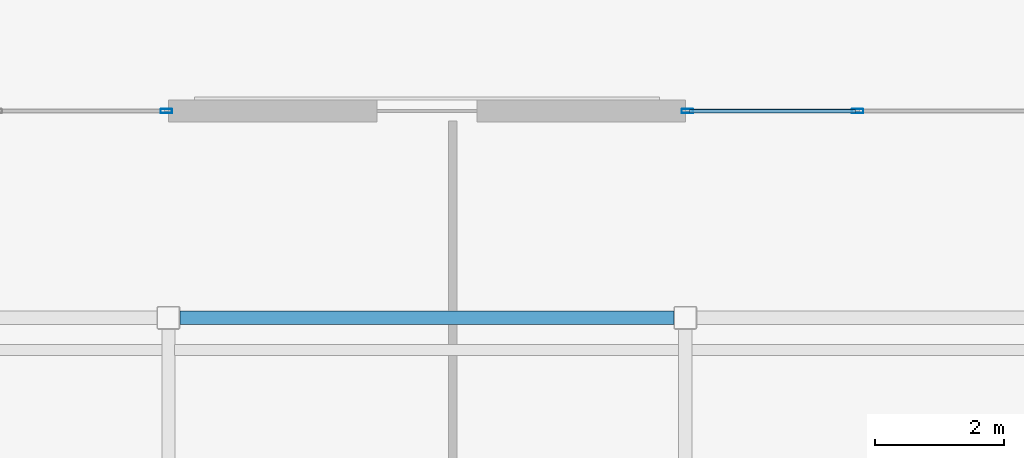
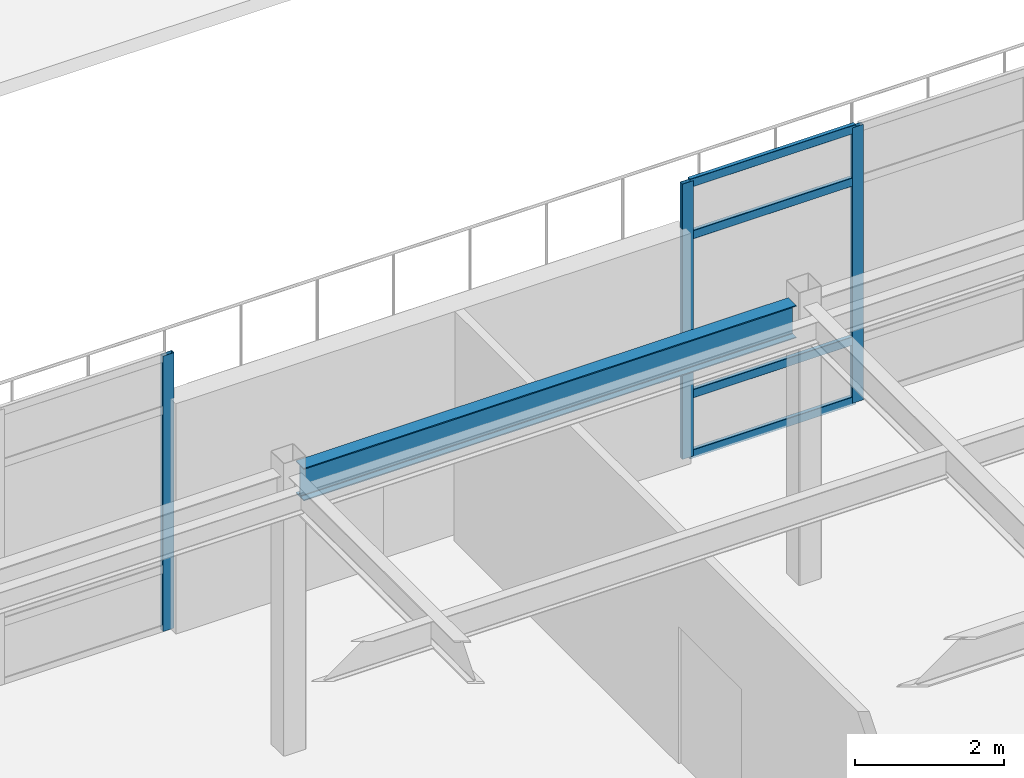
# One storey, part 42 of 117: 7 members, 1 beam, 2 elements without a shape of their own.
"""IFC4 building model written with IfcOpenShell, lengths in metres."""

from ifc_helpers import new_model, si_unit, direction, frame, origin, origin_2d, place, context, subcontext, project, spatial, hollow_rectangle, i_section, extrude, material, material_profile, profile_set, type_object, element, aggregate, save


model = new_model("IFC4")

# Units and contexts
model_context = context("Model", 3, precision=1e-05, world=origin(), true_north=direction((0.0, 1.0)))
body_context = subcontext(model_context, "Body", "Model", "MODEL_VIEW")
ifc_project = project(units=[si_unit("LENGTHUNIT", "METRE"), si_unit("AREAUNIT", "SQUARE_METRE"), si_unit("VOLUMEUNIT", "CUBIC_METRE"), si_unit("PLANEANGLEUNIT", "RADIAN"), si_unit("MASSUNIT", "GRAM", prefix="KILO")], contexts=[model_context])

# Site, building, storey
site_placement = place(None, origin())
site = spatial("IfcSite", under=ifc_project, at=site_placement, CompositionType="ELEMENT")
building_placement = place(site_placement, origin())
building = spatial("IfcBuilding", under=site, at=building_placement, Name="Solmirada Galleria", CompositionType="ELEMENT")
storey_placement = place(building_placement, frame((0.0, 0.0, 5.60009765625)))
storey = spatial("IfcBuildingStorey", under=building, at=storey_placement, Name="L01", CompositionType="ELEMENT", Elevation=5.60009765625)

# Beam
ifc_material_1 = material(Name="Steel S355 / ASTM A992 Grade 50", Category="steel")
ifc_material_profile_1 = material_profile(ifc_material_1, i_section(OverallWidth=0.2099609375, OverallDepth=0.537109375, WebThickness=0.010986328125, FlangeThickness=0.017333984375, FilletRadius=0.014892578125, at=origin_2d()), Name="W21X68")
ifc_profile_set_1 = profile_set([ifc_material_profile_1], Name="Steel S355 / ASTM A992 Grade 50")
beam_type = type_object("IfcBeamType", Name="BM-GIRD-W21B", PredefinedType="BEAM", material=ifc_profile_set_1)
beam_placement = place(storey_placement, frame((120.177978515625, 40.0, 4.29150390625), z_axis=(1.0, 0.0, 0.0), x_axis=(0.0, 1.0, 0.0)))
element("IfcBeam", 1, at=beam_placement, inside=storey, type_object=beam_type, Name="Primary beam L02 X(120..128, 40)", PredefinedType="BEAM", context=body_context, shape_type="SweptSolid", body=[
    extrude(i_section(OverallWidth=0.2099609375, OverallDepth=0.537109375, WebThickness=0.010986328125, FlangeThickness=0.017333984375, FilletRadius=0.014892578125, at=origin_2d()), origin(), (0.0, 0.0, 1.0), 7.64404296875),
])

# Curtain wall, member
ifc_material_2 = material(Name="Impact-resistant low-E double glazing", Category="glass")
curtain_wall_type = type_object("IfcCurtainWallType", Name="CW-FZ5-L01-B3-L080", PredefinedType="NOTDEFINED", material=ifc_material_2)
curtain_wall_1_placement = place(storey_placement, origin())
curtain_wall_1 = element("IfcCurtainWall", 2, at=curtain_wall_1_placement, inside=storey, type_object=curtain_wall_type, Name="Terrace and arcade storefront CW-L01-075", PredefinedType="NOTDEFINED")
ifc_material_3 = material(Name="Anodised aluminium framing", Category="aluminium")
ifc_material_profile_2 = material_profile(ifc_material_3, hollow_rectangle(XDim=0.06494140625, YDim=0.179931640625, WallThickness=0.00390625, InnerFilletRadius=0.00390625, OuterFilletRadius=0.008056640625, at=origin_2d()), Name="ALU-MULL-180X65")
ifc_profile_set_2 = profile_set([ifc_material_profile_2], Name="Anodised aluminium framing")
member_type_1 = type_object("IfcMemberType", Name="CW-MULL-180", PredefinedType="MULLION", material=ifc_profile_set_2)
member_1_placement = place(storey_placement, frame((119.967529296875, 43.199951171875, 0.0), z_axis=(0.0, 0.0, 1.0), x_axis=(0.0, 1.0, 0.0)))
member_1 = element("IfcMember", 3, at=member_1_placement, type_object=member_type_1, Name="CW17 mullion 4", PredefinedType="MULLION", context=body_context, shape_type="SweptSolid", body=[
    extrude(hollow_rectangle(XDim=0.06494140625, YDim=0.179931640625, WallThickness=0.00390625, InnerFilletRadius=0.00390625, OuterFilletRadius=0.008056640625, at=origin_2d()), origin(), (0.0, 0.0, 1.0), 4.52001953125),
])
aggregate(curtain_wall_1, [member_1])

# Curtain wall, members
curtain_wall_2_placement = place(storey_placement, origin())
curtain_wall_2 = element("IfcCurtainWall", 4, at=curtain_wall_2_placement, inside=storey, type_object=curtain_wall_type, Name="Terrace and arcade storefront CW-L01-076", PredefinedType="NOTDEFINED")
member_2_placement = place(storey_placement, frame((128.032470703125, 43.199951171875, 0.0), z_axis=(0.0, 0.0, 1.0), x_axis=(0.0, 1.0, 0.0)))
member_2 = element("IfcMember", 5, at=member_2_placement, type_object=member_type_1, Name="CW17 mullion 1", PredefinedType="MULLION", context=body_context, shape_type="SweptSolid", body=[
    extrude(hollow_rectangle(XDim=0.06494140625, YDim=0.179931640625, WallThickness=0.00390625, InnerFilletRadius=0.00390625, OuterFilletRadius=0.008056640625, at=origin_2d()), origin(), (0.0, 0.0, 1.0), 4.52001953125),
])
member_3_placement = place(storey_placement, frame((130.666748046875, 43.199951171875, 0.0), z_axis=(0.0, 0.0, 1.0), x_axis=(0.0, 1.0, 0.0)))
member_3 = element("IfcMember", 6, at=member_3_placement, type_object=member_type_1, Name="CW17 mullion 2", PredefinedType="MULLION", context=body_context, shape_type="SweptSolid", body=[
    extrude(hollow_rectangle(XDim=0.06494140625, YDim=0.179931640625, WallThickness=0.00390625, InnerFilletRadius=0.00390625, OuterFilletRadius=0.008056640625, at=origin_2d()), origin(), (0.0, 0.0, 1.0), 4.52001953125),
])
ifc_material_profile_3 = material_profile(ifc_material_3, hollow_rectangle(XDim=0.06494140625, YDim=0.139892578125, WallThickness=0.00341796875, InnerFilletRadius=0.00341796875, OuterFilletRadius=0.007080078125, at=origin_2d()), Name="ALU-TRAN-140X65")
ifc_profile_set_3 = profile_set([ifc_material_profile_3], Name="Anodised aluminium framing")
member_type_2 = type_object("IfcMemberType", Name="CW-TRAN-140", PredefinedType="USERDEFINED", material=ifc_profile_set_3)
member_4_placement = place(storey_placement, frame((128.06494140625, 43.199951171875, 0.032470703125), z_axis=(1.0, 0.0, 0.0), x_axis=(0.0, 1.0, 0.0)))
member_4 = element("IfcMember", 7, at=member_4_placement, type_object=member_type_2, Name="CW17 transom 1.1", ObjectType="TRANSOM", PredefinedType="USERDEFINED", context=body_context, shape_type="SweptSolid", body=[
    extrude(hollow_rectangle(XDim=0.06494140625, YDim=0.139892578125, WallThickness=0.00341796875, InnerFilletRadius=0.00341796875, OuterFilletRadius=0.007080078125, at=origin_2d()), origin(), (0.0, 0.0, 1.0), 2.5693359375),
])
member_5_placement = place(storey_placement, frame((128.06494140625, 43.199951171875, 1.02001953125), z_axis=(1.0, 0.0, 0.0), x_axis=(0.0, 1.0, 0.0)))
member_5 = element("IfcMember", 8, at=member_5_placement, type_object=member_type_2, Name="CW17 transom 1.2", ObjectType="TRANSOM", PredefinedType="USERDEFINED", context=body_context, shape_type="SweptSolid", body=[
    extrude(hollow_rectangle(XDim=0.06494140625, YDim=0.139892578125, WallThickness=0.00341796875, InnerFilletRadius=0.00341796875, OuterFilletRadius=0.007080078125, at=origin_2d()), origin(), (0.0, 0.0, 1.0), 2.5693359375),
])
member_6_placement = place(storey_placement, frame((128.06494140625, 43.199951171875, 3.6298828125), z_axis=(1.0, 0.0, 0.0), x_axis=(0.0, 1.0, 0.0)))
member_6 = element("IfcMember", 9, at=member_6_placement, type_object=member_type_2, Name="CW17 transom 1.3", ObjectType="TRANSOM", PredefinedType="USERDEFINED", context=body_context, shape_type="SweptSolid", body=[
    extrude(hollow_rectangle(XDim=0.06494140625, YDim=0.139892578125, WallThickness=0.00341796875, InnerFilletRadius=0.00341796875, OuterFilletRadius=0.007080078125, at=origin_2d()), origin(), (0.0, 0.0, 1.0), 2.5693359375),
])
member_7_placement = place(storey_placement, frame((128.06494140625, 43.199951171875, 4.4873046875), z_axis=(1.0, 0.0, 0.0), x_axis=(0.0, 1.0, 0.0)))
member_7 = element("IfcMember", 10, at=member_7_placement, type_object=member_type_2, Name="CW17 transom 1.4", ObjectType="TRANSOM", PredefinedType="USERDEFINED", context=body_context, shape_type="SweptSolid", body=[
    extrude(hollow_rectangle(XDim=0.06494140625, YDim=0.139892578125, WallThickness=0.00341796875, InnerFilletRadius=0.00341796875, OuterFilletRadius=0.007080078125, at=origin_2d()), origin(), (0.0, 0.0, 1.0), 2.5693359375),
])
aggregate(curtain_wall_2, [member_2, member_3, member_4, member_5, member_6, member_7])

save(model, "model.ifc")
